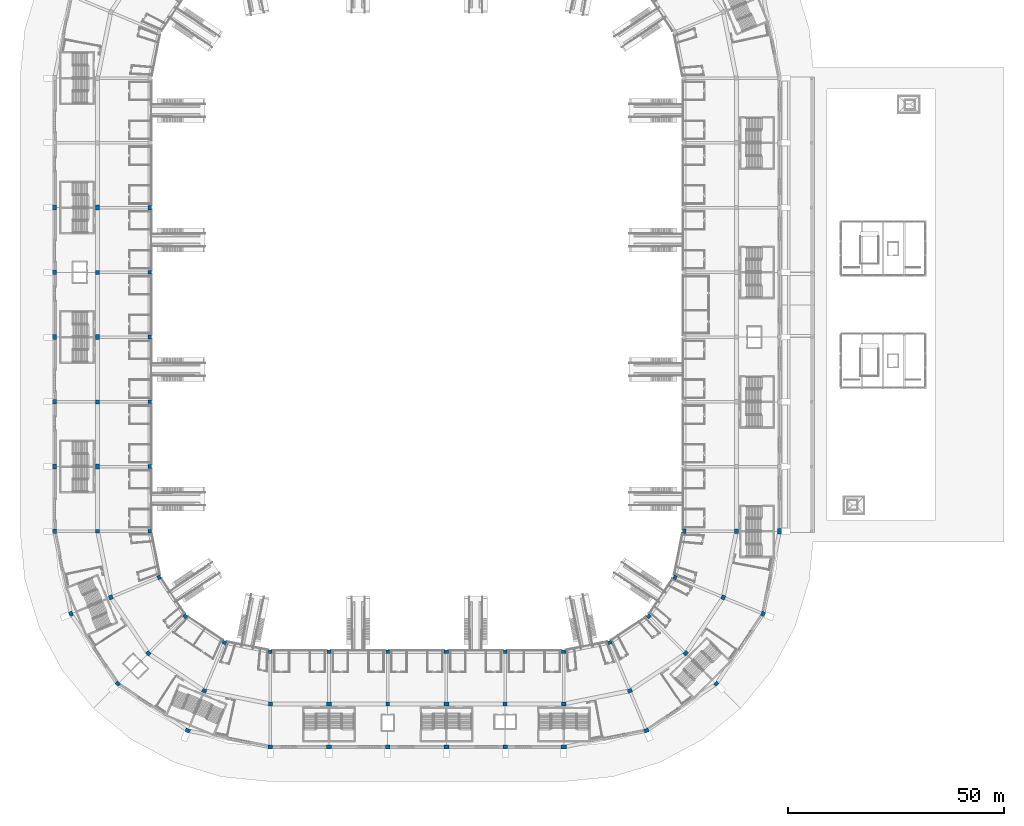
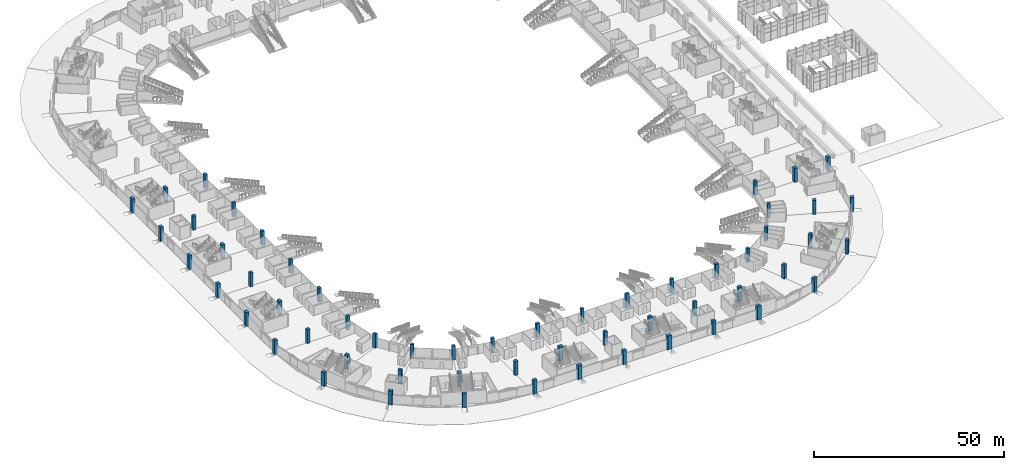
# One storey, part 1 of 175: 57 columns.
"""IFC4 building model written with IfcOpenShell, lengths in metres."""

from ifc_helpers import new_model, si_unit, direction, frame, origin, origin_2d, place, context, subcontext, project, spatial, rectangle, extrude, material, material_profile, profile_set, type_object, element, save


model = new_model("IFC4")

# Units and contexts
model_context = context("Model", 3, precision=1e-05, world=origin(), true_north=direction((0.0, 1.0)))
body_context = subcontext(model_context, "Body", "Model", "MODEL_VIEW")
ifc_project = project(units=[si_unit("LENGTHUNIT", "METRE"), si_unit("AREAUNIT", "SQUARE_METRE"), si_unit("VOLUMEUNIT", "CUBIC_METRE"), si_unit("PLANEANGLEUNIT", "RADIAN"), si_unit("MASSUNIT", "GRAM", prefix="KILO")], contexts=[model_context])

# Site, building, storey
site_placement = place(None, origin())
site = spatial("IfcSite", under=ifc_project, at=site_placement, CompositionType="ELEMENT")
building_placement = place(site_placement, origin())
building = spatial("IfcBuilding", under=site, at=building_placement, Name="Ogive Plaza Stadium", CompositionType="ELEMENT")
storey_placement = place(building_placement, origin())
storey = spatial("IfcBuildingStorey", under=building, at=storey_placement, Name="L00", CompositionType="ELEMENT", Elevation=0.0)

# Columns
ifc_material_1 = material(Name="Concrete C40/50", Category="concrete")
ifc_material_profile_1 = material_profile(ifc_material_1, rectangle(XDim=1.0, YDim=0.800048828125, at=origin_2d()), Name="RC 1000x800")
ifc_profile_set_1 = profile_set([ifc_material_profile_1], Name="Concrete C40/50")
column_type_1 = type_object("IfcColumnType", Name="RC column F3 core 1000x800", PredefinedType="COLUMN", material=ifc_profile_set_1)
for number, where, z_axis, x_axis, name in (
    (1, (61.89990234375, -52.5, 0.0), (0.0, 0.0, 1.0), (0.0, 1.0, 0.0), "Column F3 R08 L00"),
    (2, (34.0, -80.39990234375, 0.0), (0.0, 0.0, 1.0), (1.0, 0.0, 0.0), "Column F3 R12 L00"),
    (3, (6.800048828125, -80.39990234375, 0.0), (0.0, 0.0, 1.0), (1.0, 0.0, 0.0), "Column F3 R14 L00"),
    (4, (-20.39990234375, -80.39990234375, 0.0), (0.0, 0.0, 1.0), (1.0, 0.0, 0.0), "Column F3 R16 L00"),
    (5, (-61.89990234375, -37.5, 0.0), (0.0, 0.0, 1.0), (0.0, -1.0, 0.0), "Column F3 R22 L00"),
    (6, (-61.89990234375, -7.5, 0.0), (0.0, 0.0, 1.0), (0.0, -1.0, 0.0), "Column F3 R24 L00"),
    (7, (-61.89990234375, 22.5, 0.0), (0.0, 0.0, 1.0), (0.0, -1.0, 0.0), "Column F3 R26 L00"),
):
    element("IfcColumn", number, at=place(storey_placement, frame(where, z_axis=z_axis, x_axis=x_axis)), inside=storey, type_object=column_type_1, Name=name, PredefinedType="COLUMN", context=body_context, shape_type="SweptSolid", body=[
        extrude(rectangle(XDim=1.0, YDim=0.800048828125, at=origin_2d()), origin(), (0.0, 0.0, 1.0), 4.5),
    ])
ifc_material_2 = material(Name="Concrete C40/50", Category="concrete")
ifc_material_profile_2 = material_profile(ifc_material_2, rectangle(XDim=0.89990234375, YDim=0.800048828125, at=origin_2d()), Name="RC 900x800")
ifc_profile_set_2 = profile_set([ifc_material_profile_2], Name="Concrete C40/50")
column_type_2 = type_object("IfcColumnType", Name="RC column F3 corner 900x800", PredefinedType="COLUMN", material=ifc_profile_set_2)
for number, where, z_axis, x_axis, name in (
    (8, (59.776123046875, -63.1767578125, 0.0), (0.0, 0.0, 1.0), (0.382683432365, 0.923879532511, 0.0), "Column F3 R09 L00"),
    (9, (53.728271484375, -72.228271484375, 0.0), (0.0, 0.0, 1.0), (0.707106781187, 0.707106781187, 0.0), "Column F3 R10 L00"),
    (10, (44.6767578125, -78.276123046875, 0.0), (0.0, 0.0, 1.0), (0.923879532511, 0.382683432365, 0.0), "Column F3 R11 L00"),
    (11, (-44.6767578125, -78.276123046875, 0.0), (0.0, 0.0, 1.0), (0.923879532511, -0.382683432365, 0.0), "Column F3 R18 L00"),
    (12, (-53.728271484375, -72.228271484375, 0.0), (0.0, 0.0, 1.0), (0.707106781187, -0.707106781187, 0.0), "Column F3 R19 L00"),
    (13, (-59.776123046875, -63.1767578125, 0.0), (0.0, 0.0, 1.0), (0.382683432365, -0.923879532511, 0.0), "Column F3 R20 L00"),
):
    element("IfcColumn", number, at=place(storey_placement, frame(where, z_axis=z_axis, x_axis=x_axis)), inside=storey, type_object=column_type_2, Name=name, PredefinedType="COLUMN", context=body_context, shape_type="SweptSolid", body=[
        extrude(rectangle(XDim=0.89990234375, YDim=0.800048828125, at=origin_2d()), origin(), (0.0, 0.0, 1.0), 4.5),
    ])
ifc_material_3 = material(Name="Concrete C40/50", Category="concrete")
ifc_material_profile_3 = material_profile(ifc_material_3, rectangle(XDim=0.800048828125, YDim=0.800048828125, at=origin_2d()), Name="RC 800x800")
ifc_profile_set_3 = profile_set([ifc_material_profile_3], Name="Concrete C40/50")
column_type_3 = type_object("IfcColumnType", Name="RC column F3 typical 800x800", PredefinedType="COLUMN", material=ifc_profile_set_3)
for number, where, z_axis, x_axis, name in (
    (14, (20.39990234375, -80.39990234375, 0.0), (0.0, 0.0, 1.0), (1.0, 0.0, 0.0), "Column F3 R13 L00"),
    (15, (-6.800048828125, -80.39990234375, 0.0), (0.0, 0.0, 1.0), (1.0, 0.0, 0.0), "Column F3 R15 L00"),
    (16, (-34.0, -80.39990234375, 0.0), (0.0, 0.0, 1.0), (1.0, 0.0, 0.0), "Column F3 R17 L00"),
    (17, (-61.89990234375, -52.5, 0.0), (0.0, 0.0, 1.0), (0.0, -1.0, 0.0), "Column F3 R21 L00"),
    (18, (-61.89990234375, -22.5, 0.0), (0.0, 0.0, 1.0), (0.0, -1.0, 0.0), "Column F3 R23 L00"),
    (19, (-61.89990234375, 7.5, 0.0), (0.0, 0.0, 1.0), (0.0, -1.0, 0.0), "Column F3 R25 L00"),
):
    element("IfcColumn", number, at=place(storey_placement, frame(where, z_axis=z_axis, x_axis=x_axis)), inside=storey, type_object=column_type_3, Name=name, PredefinedType="COLUMN", context=body_context, shape_type="SweptSolid", body=[
        extrude(rectangle(XDim=0.800048828125, YDim=0.800048828125, at=origin_2d()), origin(), (0.0, 0.0, 1.0), 4.5),
    ])
ifc_material_4 = material(Name="Concrete C40/50", Category="concrete")
ifc_material_profile_4 = material_profile(ifc_material_4, rectangle(XDim=1.10009765625, YDim=0.89990234375, at=origin_2d()), Name="RC 1100x900")
ifc_profile_set_4 = profile_set([ifc_material_profile_4], Name="Concrete C40/50")
column_type_4 = type_object("IfcColumnType", Name="RC column F4 core 1100x900", PredefinedType="COLUMN", material=ifc_profile_set_4)
for number, where, z_axis, x_axis, name in (
    (20, (74.0, -52.5, 0.0), (0.0, 0.0, 1.0), (0.0, 1.0, 0.0), "Column F4 R08 L00"),
    (21, (34.0, -92.5, 0.0), (0.0, 0.0, 1.0), (1.0, 0.0, 0.0), "Column F4 R12 L00"),
    (22, (6.800048828125, -92.5, 0.0), (0.0, 0.0, 1.0), (1.0, 0.0, 0.0), "Column F4 R14 L00"),
    (23, (-20.39990234375, -92.5, 0.0), (0.0, 0.0, 1.0), (1.0, 0.0, 0.0), "Column F4 R16 L00"),
    (24, (-74.0, -37.5, 0.0), (0.0, 0.0, 1.0), (0.0, -1.0, 0.0), "Column F4 R22 L00"),
    (25, (-74.0, -7.5, 0.0), (0.0, 0.0, 1.0), (0.0, -1.0, 0.0), "Column F4 R24 L00"),
    (26, (-74.0, 22.5, 0.0), (0.0, 0.0, 1.0), (0.0, -1.0, 0.0), "Column F4 R26 L00"),
):
    element("IfcColumn", number, at=place(storey_placement, frame(where, z_axis=z_axis, x_axis=x_axis)), inside=storey, type_object=column_type_4, Name=name, PredefinedType="COLUMN", context=body_context, shape_type="SweptSolid", body=[
        extrude(rectangle(XDim=1.10009765625, YDim=0.89990234375, at=origin_2d()), origin(), (0.0, 0.0, 1.0), 4.5),
    ])
ifc_material_5 = material(Name="Concrete C40/50", Category="concrete")
ifc_material_profile_5 = material_profile(ifc_material_5, rectangle(XDim=1.0, YDim=0.89990234375, at=origin_2d()), Name="RC 1000x900")
ifc_profile_set_5 = profile_set([ifc_material_profile_5], Name="Concrete C40/50")
column_type_5 = type_object("IfcColumnType", Name="RC column F4 corner 1000x900", PredefinedType="COLUMN", material=ifc_profile_set_5)
for number, where, z_axis, x_axis, name in (
    (27, (70.955078125, -67.807373046875, 0.0), (0.0, 0.0, 1.0), (0.382683432365, 0.923879532511, 0.0), "Column F4 R09 L00"),
    (28, (62.2841796875, -80.7841796875, 0.0), (0.0, 0.0, 1.0), (0.707106781187, 0.707106781187, 0.0), "Column F4 R10 L00"),
    (29, (49.307373046875, -89.455078125, 0.0), (0.0, 0.0, 1.0), (0.923879532511, 0.382683432365, 0.0), "Column F4 R11 L00"),
    (30, (-49.307373046875, -89.455078125, 0.0), (0.0, 0.0, 1.0), (0.923879532511, -0.382683432365, 0.0), "Column F4 R18 L00"),
    (31, (-62.2841796875, -80.7841796875, 0.0), (0.0, 0.0, 1.0), (0.707106781187, -0.707106781187, 0.0), "Column F4 R19 L00"),
    (32, (-70.955078125, -67.807373046875, 0.0), (0.0, 0.0, 1.0), (0.382683432365, -0.923879532511, 0.0), "Column F4 R20 L00"),
):
    element("IfcColumn", number, at=place(storey_placement, frame(where, z_axis=z_axis, x_axis=x_axis)), inside=storey, type_object=column_type_5, Name=name, PredefinedType="COLUMN", context=body_context, shape_type="SweptSolid", body=[
        extrude(rectangle(XDim=1.0, YDim=0.89990234375, at=origin_2d()), origin(), (0.0, 0.0, 1.0), 4.5),
    ])
ifc_material_6 = material(Name="Concrete C40/50", Category="concrete")
ifc_material_profile_6 = material_profile(ifc_material_6, rectangle(XDim=0.89990234375, YDim=0.89990234375, at=origin_2d()), Name="RC 900x900")
ifc_profile_set_6 = profile_set([ifc_material_profile_6], Name="Concrete C40/50")
column_type_6 = type_object("IfcColumnType", Name="RC column F4 typical 900x900", PredefinedType="COLUMN", material=ifc_profile_set_6)
for number, where, z_axis, x_axis, name in (
    (33, (20.39990234375, -92.5, 0.0), (0.0, 0.0, 1.0), (1.0, 0.0, 0.0), "Column F4 R13 L00"),
    (34, (-6.800048828125, -92.5, 0.0), (0.0, 0.0, 1.0), (1.0, 0.0, 0.0), "Column F4 R15 L00"),
    (35, (-34.0, -92.5, 0.0), (0.0, 0.0, 1.0), (1.0, 0.0, 0.0), "Column F4 R17 L00"),
    (36, (-74.0, -52.5, 0.0), (0.0, 0.0, 1.0), (0.0, -1.0, 0.0), "Column F4 R21 L00"),
    (37, (-74.0, -22.5, 0.0), (0.0, 0.0, 1.0), (0.0, -1.0, 0.0), "Column F4 R23 L00"),
    (38, (-74.0, 7.5, 0.0), (0.0, 0.0, 1.0), (0.0, -1.0, 0.0), "Column F4 R25 L00"),
):
    element("IfcColumn", number, at=place(storey_placement, frame(where, z_axis=z_axis, x_axis=x_axis)), inside=storey, type_object=column_type_6, Name=name, PredefinedType="COLUMN", context=body_context, shape_type="SweptSolid", body=[
        extrude(rectangle(XDim=0.89990234375, YDim=0.89990234375, at=origin_2d()), origin(), (0.0, 0.0, 1.0), 4.5),
    ])
ifc_material_7 = material(Name="Concrete C40/50", Category="concrete")
ifc_material_profile_7 = material_profile(ifc_material_7, rectangle(XDim=1.199951171875, YDim=0.89990234375, at=origin_2d()), Name="RC 1200x900")
ifc_profile_set_7 = profile_set([ifc_material_profile_7], Name="Concrete C40/50")
column_type_7 = type_object("IfcColumnType", Name="RC column F5 core 1200x900", PredefinedType="COLUMN", material=ifc_profile_set_7)
for number, where, z_axis, x_axis, name in (
    (39, (84.0, -52.5, 0.0), (0.0, 0.0, 1.0), (0.0, 1.0, 0.0), "Column F5 R08 L00"),
    (40, (34.0, -102.5, 0.0), (0.0, 0.0, 1.0), (1.0, 0.0, 0.0), "Column F5 R12 L00"),
    (41, (6.800048828125, -102.5, 0.0), (0.0, 0.0, 1.0), (1.0, 0.0, 0.0), "Column F5 R14 L00"),
    (42, (-20.39990234375, -102.5, 0.0), (0.0, 0.0, 1.0), (1.0, 0.0, 0.0), "Column F5 R16 L00"),
    (43, (-84.0, -37.5, 0.0), (0.0, 0.0, 1.0), (0.0, -1.0, 0.0), "Column F5 R22 L00"),
    (44, (-84.0, -7.5, 0.0), (0.0, 0.0, 1.0), (0.0, -1.0, 0.0), "Column F5 R24 L00"),
    (45, (-84.0, 22.5, 0.0), (0.0, 0.0, 1.0), (0.0, -1.0, 0.0), "Column F5 R26 L00"),
):
    element("IfcColumn", number, at=place(storey_placement, frame(where, z_axis=z_axis, x_axis=x_axis)), inside=storey, type_object=column_type_7, Name=name, PredefinedType="COLUMN", context=body_context, shape_type="SweptSolid", body=[
        extrude(rectangle(XDim=1.199951171875, YDim=0.89990234375, at=origin_2d()), origin(), (0.0, 0.0, 1.0), 4.5),
    ])
ifc_material_8 = material(Name="Concrete C40/50", Category="concrete")
ifc_material_profile_8 = material_profile(ifc_material_8, rectangle(XDim=1.10009765625, YDim=0.89990234375, at=origin_2d()), Name="RC 1100x900")
ifc_profile_set_8 = profile_set([ifc_material_profile_8], Name="Concrete C40/50")
column_type_8 = type_object("IfcColumnType", Name="RC column F5 corner 1100x900", PredefinedType="COLUMN", material=ifc_profile_set_8)
for number, where, z_axis, x_axis, name in (
    (46, (80.194091796875, -71.63427734375, 0.0), (0.0, 0.0, 1.0), (0.382683432365, 0.923879532511, 0.0), "Column F5 R09 L00"),
    (47, (69.355224609375, -87.855224609375, 0.0), (0.0, 0.0, 1.0), (0.707106781187, 0.707106781187, 0.0), "Column F5 R10 L00"),
    (48, (53.13427734375, -98.694091796875, 0.0), (0.0, 0.0, 1.0), (0.923879532511, 0.382683432365, 0.0), "Column F5 R11 L00"),
    (49, (-53.13427734375, -98.694091796875, 0.0), (0.0, 0.0, 1.0), (0.923879532511, -0.382683432365, 0.0), "Column F5 R18 L00"),
    (50, (-69.355224609375, -87.855224609375, 0.0), (0.0, 0.0, 1.0), (0.707106781187, -0.707106781187, 0.0), "Column F5 R19 L00"),
    (51, (-80.194091796875, -71.63427734375, 0.0), (0.0, 0.0, 1.0), (0.382683432365, -0.923879532511, 0.0), "Column F5 R20 L00"),
):
    element("IfcColumn", number, at=place(storey_placement, frame(where, z_axis=z_axis, x_axis=x_axis)), inside=storey, type_object=column_type_8, Name=name, PredefinedType="COLUMN", context=body_context, shape_type="SweptSolid", body=[
        extrude(rectangle(XDim=1.10009765625, YDim=0.89990234375, at=origin_2d()), origin(), (0.0, 0.0, 1.0), 4.5),
    ])
ifc_material_9 = material(Name="Concrete C40/50", Category="concrete")
ifc_material_profile_9 = material_profile(ifc_material_9, rectangle(XDim=1.0, YDim=0.89990234375, at=origin_2d()), Name="RC 1000x900")
ifc_profile_set_9 = profile_set([ifc_material_profile_9], Name="Concrete C40/50")
column_type_9 = type_object("IfcColumnType", Name="RC column F5 typical 1000x900", PredefinedType="COLUMN", material=ifc_profile_set_9)
for number, where, z_axis, x_axis, name in (
    (52, (20.39990234375, -102.5, 0.0), (0.0, 0.0, 1.0), (1.0, 0.0, 0.0), "Column F5 R13 L00"),
    (53, (-6.800048828125, -102.5, 0.0), (0.0, 0.0, 1.0), (1.0, 0.0, 0.0), "Column F5 R15 L00"),
    (54, (-34.0, -102.5, 0.0), (0.0, 0.0, 1.0), (1.0, 0.0, 0.0), "Column F5 R17 L00"),
    (55, (-84.0, -52.5, 0.0), (0.0, 0.0, 1.0), (0.0, -1.0, 0.0), "Column F5 R21 L00"),
    (56, (-84.0, -22.5, 0.0), (0.0, 0.0, 1.0), (0.0, -1.0, 0.0), "Column F5 R23 L00"),
    (57, (-84.0, 7.5, 0.0), (0.0, 0.0, 1.0), (0.0, -1.0, 0.0), "Column F5 R25 L00"),
):
    element("IfcColumn", number, at=place(storey_placement, frame(where, z_axis=z_axis, x_axis=x_axis)), inside=storey, type_object=column_type_9, Name=name, PredefinedType="COLUMN", context=body_context, shape_type="SweptSolid", body=[
        extrude(rectangle(XDim=1.0, YDim=0.89990234375, at=origin_2d()), origin(), (0.0, 0.0, 1.0), 4.5),
    ])

save(model, "model.ifc")
